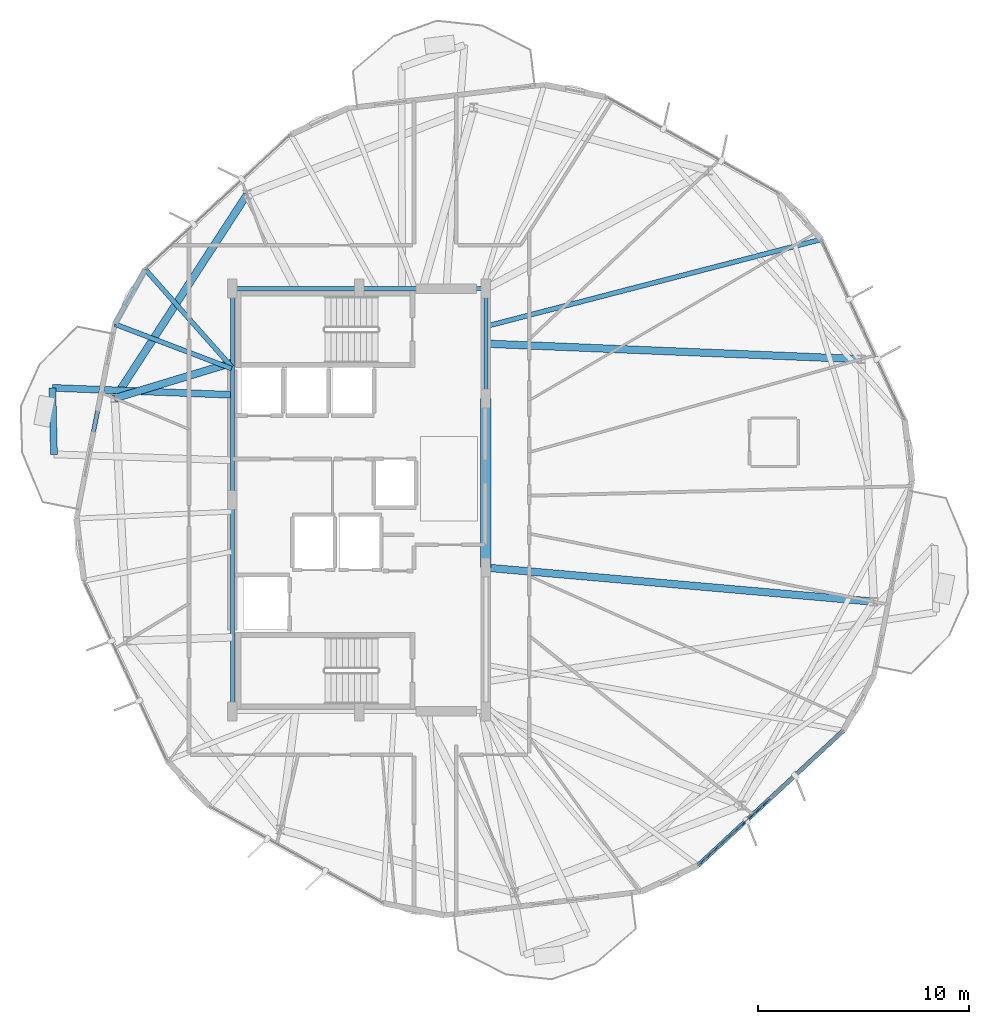
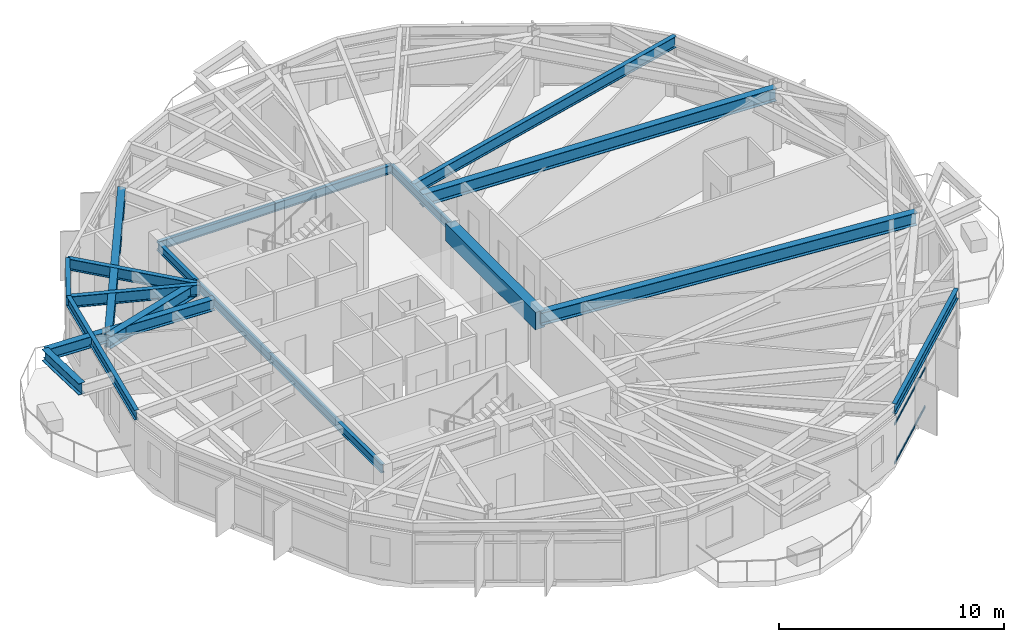
# One storey, part 8 of 25: 18 beams, 3 members, 1 element without a shape of its own.
"""IFC4 building model written with IfcOpenShell, lengths in metres."""

from ifc_helpers import new_model, si_unit, direction, frame, origin, origin_2d, place, context, subcontext, project, spatial, rectangle, hollow_rectangle, i_section, extrude, material, layer, layer_set, material_profile, profile_set, type_object, element, aggregate, save


model = new_model("IFC4")

# Units and contexts
model_context = context("Model", 3, precision=1e-05, world=origin(), true_north=direction((0.0, 1.0)))
body_context = subcontext(model_context, "Body", "Model", "MODEL_VIEW")
ifc_project = project(units=[si_unit("LENGTHUNIT", "METRE"), si_unit("AREAUNIT", "SQUARE_METRE"), si_unit("VOLUMEUNIT", "CUBIC_METRE"), si_unit("PLANEANGLEUNIT", "RADIAN"), si_unit("MASSUNIT", "GRAM", prefix="KILO")], contexts=[model_context])

# Site, building, storey
site_placement = place(None, origin())
site = spatial("IfcSite", under=ifc_project, at=site_placement, CompositionType="ELEMENT")
building_placement = place(site_placement, origin())
building = spatial("IfcBuilding", under=site, at=building_placement, Name="Soratama Intermodal Tower", CompositionType="ELEMENT")
storey_placement = place(building_placement, frame((0.0, 0.0, 190.60009765625)))
storey = spatial("IfcBuildingStorey", under=building, at=storey_placement, Name="L47", CompositionType="ELEMENT", Elevation=190.60009765625)

# Beams
ifc_material_1 = material(Name="Structural steel ASTM A992 Grade 50", Category="steel")
ifc_material_profile_1 = material_profile(ifc_material_1, i_section(OverallWidth=0.324951171875, OverallDepth=0.615966796875, WebThickness=0.013916015625, FlangeThickness=0.021484375, FilletRadius=0.013916015625, at=origin_2d()), Name="W24X117")
ifc_profile_set_1 = profile_set([ifc_material_profile_1], Name="Structural steel ASTM A992 Grade 50")
beam_type_1 = type_object("IfcBeamType", Name="BM-CANT-W24X117", PredefinedType="BEAM", material=ifc_profile_set_1)
beam_1_placement = place(storey_placement, frame((24.0830078125, 30.30810546875, 2.991943359375), z_axis=(0.024110863859, -0.999709290866, 0.0), x_axis=(0.999709290866, 0.024110863859, 0.0)))
element("IfcBeam", 1, at=beam_1_placement, inside=storey, type_object=beam_type_1, Name="BM-L47-CBHDR-3", PredefinedType="BEAM", context=body_context, shape_type="SweptSolid", body=[
    extrude(i_section(OverallWidth=0.324951171875, OverallDepth=0.615966796875, WebThickness=0.013916015625, FlangeThickness=0.021484375, FilletRadius=0.013916015625, at=origin_2d()), origin(), (0.0, 0.0, 1.0), 3.149169921875),
])
beam_2_placement = place(storey_placement, frame((32.56005859375, 29.97705078125, 2.991943359375), z_axis=(-0.999238300808, 0.039023303263, 0.0), x_axis=(-0.039023303263, -0.999238300808, 0.0)))
element("IfcBeam", 2, at=beam_2_placement, inside=storey, type_object=beam_type_1, Name="BM-L47-CANT-3-1", PredefinedType="BEAM", context=body_context, shape_type="SweptSolid", body=[
    extrude(i_section(OverallWidth=0.324951171875, OverallDepth=0.615966796875, WebThickness=0.013916015625, FlangeThickness=0.021484375, FilletRadius=0.013916015625, at=origin_2d()), origin(), (0.0, 0.0, 1.0), 8.4833984375),
])
ifc_material_2 = material(Name="Concrete f'c 56 MPa", Category="concrete")
ifc_material_profile_2 = material_profile(ifc_material_2, rectangle(XDim=0.5, YDim=0.949951171875, at=origin_2d()), Name="RC500X950")
ifc_profile_set_2 = profile_set([ifc_material_profile_2], Name="Concrete f'c 56 MPa")
beam_type_2 = type_object("IfcBeamType", Name="BM-CPL-RC500X950", PredefinedType="BEAM", material=ifc_profile_set_2)
beam_3_placement = place(storey_placement, frame((44.60009765625, 21.800048828125, 2.824951171875), z_axis=(0.0, 1.0, 0.0), x_axis=(-1.0, 0.0, 0.0)))
element("IfcBeam", 3, at=beam_3_placement, inside=storey, type_object=beam_type_2, Name="L47 Core Coupling Beam East", PredefinedType="BEAM", context=body_context, shape_type="SweptSolid", body=[
    extrude(rectangle(XDim=0.5, YDim=0.949951171875, at=origin_2d()), origin(), (0.0, 0.0, 1.0), 8.0),
])
ifc_material_3 = material(Name="Structural steel ASTM A992 Grade 50", Category="steel")
ifc_material_profile_3 = material_profile(ifc_material_3, i_section(OverallWidth=0.19091796875, OverallDepth=0.4599609375, WebThickness=0.010009765625, FlangeThickness=0.01611328125, FilletRadius=0.010986328125, at=origin_2d()), Name="W18X55")
ifc_profile_set_3 = profile_set([ifc_material_profile_3], Name="Structural steel ASTM A992 Grade 50")
beam_type_3 = type_object("IfcBeamType", Name="BM-FLR-W18X55", PredefinedType="BEAM", material=ifc_profile_set_3)
beam_4_placement = place(storey_placement, frame((44.60009765625, 29.800048828125, 3.06982421875), z_axis=(0.0, 1.0, 0.0), x_axis=(-1.0, 0.0, 0.0)))
element("IfcBeam", 4, at=beam_4_placement, inside=storey, type_object=beam_type_3, Name="BM-L47-CRING-05", PredefinedType="BEAM", context=body_context, shape_type="SweptSolid", body=[
    extrude(i_section(OverallWidth=0.19091796875, OverallDepth=0.4599609375, WebThickness=0.010009765625, FlangeThickness=0.01611328125, FilletRadius=0.010986328125, at=origin_2d()), origin(), (0.0, 0.0, 1.0), 5.199951171875),
])
for number, where, z_axis, x_axis, name in (
    (5, (44.60009765625, 35.0, 3.06982421875), (-1.0, 0.0, 0.0), (0.0, -1.0, 0.0), "BM-L47-CRING-06"),
    (6, (38.60009765625, 35.0, 3.06982421875), (-1.0, 0.0, 0.0), (0.0, -1.0, 0.0), "BM-L47-CRING-07"),
):
    element("IfcBeam", number, at=place(storey_placement, frame(where, z_axis=z_axis, x_axis=x_axis)), inside=storey, type_object=beam_type_3, Name=name, PredefinedType="BEAM", context=body_context, shape_type="SweptSolid", body=[
        extrude(i_section(OverallWidth=0.19091796875, OverallDepth=0.4599609375, WebThickness=0.010009765625, FlangeThickness=0.01611328125, FilletRadius=0.010986328125, at=origin_2d()), origin(), (0.0, 0.0, 1.0), 6.0),
    ])
for number, where, z_axis, x_axis, name in (
    (7, (32.60009765625, 35.0, 3.06982421875), (0.0, -1.0, 0.0), (1.0, 0.0, 0.0), "BM-L47-CRING-08"),
    (8, (32.60009765625, 25.0, 3.06982421875), (0.0, -1.0, 0.0), (1.0, 0.0, 0.0), "BM-L47-CRING-09"),
):
    element("IfcBeam", number, at=place(storey_placement, frame(where, z_axis=z_axis, x_axis=x_axis)), inside=storey, type_object=beam_type_3, Name=name, PredefinedType="BEAM", context=body_context, shape_type="SweptSolid", body=[
        extrude(i_section(OverallWidth=0.19091796875, OverallDepth=0.4599609375, WebThickness=0.010009765625, FlangeThickness=0.01611328125, FilletRadius=0.010986328125, at=origin_2d()), origin(), (0.0, 0.0, 1.0), 10.0),
    ])
ifc_material_4 = material(Name="Structural steel ASTM A992 Grade 50", Category="steel")
ifc_material_profile_4 = material_profile(ifc_material_4, i_section(OverallWidth=0.35498046875, OverallDepth=0.695068359375, WebThickness=0.015380859375, FlangeThickness=0.02490234375, FilletRadius=0.01611328125, at=origin_2d()), Name="W27X146")
ifc_profile_set_4 = profile_set([ifc_material_profile_4], Name="Structural steel ASTM A992 Grade 50")
beam_type_4 = type_object("IfcBeamType", Name="BM-RING-W27X146", PredefinedType="BEAM", material=ifc_profile_set_4)
beam_5_placement = place(storey_placement, frame((33.294921875, 39.455078125, 2.952392578125), z_axis=(-0.544637453764, -0.83867159482, 0.0), x_axis=(0.83867159482, -0.544637453764, 0.0)))
element("IfcBeam", 9, at=beam_5_placement, inside=storey, type_object=beam_type_4, Name="BM-L47-RING-04", PredefinedType="BEAM", context=body_context, shape_type="SweptSolid", body=[
    extrude(i_section(OverallWidth=0.35498046875, OverallDepth=0.695068359375, WebThickness=0.015380859375, FlangeThickness=0.02490234375, FilletRadius=0.01611328125, at=origin_2d()), origin(), (0.0, 0.0, 1.0), 11.49560546875),
])
beam_6_placement = place(storey_placement, frame((44.60009765625, 32.39990234375, 2.952392578125), z_axis=(0.999147788389, -0.041275864109, 0.0), x_axis=(0.041275864109, 0.999147788389, 0.0)))
element("IfcBeam", 10, at=beam_6_placement, inside=storey, type_object=beam_type_4, Name="BM-L47-RAD-01", PredefinedType="BEAM", context=body_context, shape_type="SweptSolid", body=[
    extrude(i_section(OverallWidth=0.35498046875, OverallDepth=0.695068359375, WebThickness=0.015380859375, FlangeThickness=0.02490234375, FilletRadius=0.01611328125, at=origin_2d()), origin(), (0.0, 0.0, 1.0), 17.780029296875),
])
beam_7_placement = place(storey_placement, frame((32.60009765625, 31.5, 2.952392578125), z_axis=(-0.957056879321, -0.289900206526, 0.0), x_axis=(0.289900206526, -0.957056879321, 0.0)))
element("IfcBeam", 11, at=beam_7_placement, inside=storey, type_object=beam_type_4, Name="BM-L47-RAD-05", PredefinedType="BEAM", context=body_context, shape_type="SweptSolid", body=[
    extrude(i_section(OverallWidth=0.35498046875, OverallDepth=0.695068359375, WebThickness=0.015380859375, FlangeThickness=0.02490234375, FilletRadius=0.01611328125, at=origin_2d()), origin(), (0.0, 0.0, 1.0), 5.81591796875),
])
beam_8_placement = place(storey_placement, frame((44.60009765625, 21.800048828125, 2.952392578125), z_axis=(0.996160716813, -0.087543282317, 0.0), x_axis=(0.087543282317, 0.996160716813, 0.0)))
element("IfcBeam", 12, at=beam_8_placement, inside=storey, type_object=beam_type_4, Name="BM-L47-RAD-10", PredefinedType="BEAM", context=body_context, shape_type="SweptSolid", body=[
    extrude(i_section(OverallWidth=0.35498046875, OverallDepth=0.695068359375, WebThickness=0.015380859375, FlangeThickness=0.02490234375, FilletRadius=0.01611328125, at=origin_2d()), origin(), (0.0, 0.0, 1.0), 18.436767578125),
])
ifc_material_5 = material(Name="Structural steel ASTM A992 Grade 50", Category="steel")
ifc_material_profile_5 = material_profile(ifc_material_5, i_section(OverallWidth=0.2099609375, OverallDepth=0.537109375, WebThickness=0.010986328125, FlangeThickness=0.017333984375, FilletRadius=0.012939453125, at=origin_2d()), Name="W21X68")
ifc_profile_set_5 = profile_set([ifc_material_profile_5], Name="Structural steel ASTM A992 Grade 50")
beam_type_5 = type_object("IfcBeamType", Name="BM-SPN-W21X68", PredefinedType="SPANDREL", material=ifc_profile_set_5)
beam_9_placement = place(storey_placement, frame((28.47998046875, 35.916015625, 3.031494140625), z_axis=(-0.487472689611, -0.873138234693, 0.0), x_axis=(0.873138234693, -0.487472689611, 0.0)))
element("IfcBeam", 13, at=beam_9_placement, inside=storey, type_object=beam_type_5, Name="BS-L47-CRN03", PredefinedType="SPANDREL", context=body_context, shape_type="SweptSolid", body=[
    extrude(i_section(OverallWidth=0.2099609375, OverallDepth=0.537109375, WebThickness=0.010986328125, FlangeThickness=0.017333984375, FilletRadius=0.012939453125, at=origin_2d()), origin(), (0.0, 0.0, 1.0), 2.96630859375),
])
beam_10_placement = place(storey_placement, frame((27.033935546875, 33.325927734375, 3.031494140625), z_axis=(-0.193548336451, -0.981090740685, 0.0), x_axis=(0.981090740685, -0.193548336451, 0.0)))
element("IfcBeam", 14, at=beam_10_placement, inside=storey, type_object=beam_type_5, Name="BS-L47-F04", PredefinedType="SPANDREL", context=body_context, shape_type="SweptSolid", body=[
    extrude(i_section(OverallWidth=0.2099609375, OverallDepth=0.537109375, WebThickness=0.010986328125, FlangeThickness=0.017333984375, FilletRadius=0.012939453125, at=origin_2d()), origin(), (0.0, 0.0, 1.0), 9.38232421875),
])
beam_11_placement = place(storey_placement, frame((54.64111328125, 7.7041015625, 3.031494140625), z_axis=(0.73320115979, 0.680011808193, 0.0), x_axis=(-0.680011808193, 0.73320115979, 0.0)))
element("IfcBeam", 15, at=beam_11_placement, inside=storey, type_object=beam_type_5, Name="BS-L47-F08", PredefinedType="SPANDREL", context=body_context, shape_type="SweptSolid", body=[
    extrude(i_section(OverallWidth=0.2099609375, OverallDepth=0.537109375, WebThickness=0.010986328125, FlangeThickness=0.017333984375, FilletRadius=0.012939453125, at=origin_2d()), origin(), (0.0, 0.0, 1.0), 9.382080078125),
])
ifc_material_6 = material(Name="Structural steel ASTM A992 Grade 50", Category="steel")
ifc_material_profile_6 = material_profile(ifc_material_6, i_section(OverallWidth=0.22900390625, OverallDepth=0.612060546875, WebThickness=0.011962890625, FlangeThickness=0.01953125, FilletRadius=0.012939453125, at=origin_2d()), Name="W24X84")
ifc_profile_set_6 = profile_set([ifc_material_profile_6], Name="Structural steel ASTM A992 Grade 50")
beam_type_6 = type_object("IfcBeamType", Name="BM-TIE-W24X84", PredefinedType="BEAM", material=ifc_profile_set_6)
beam_12_placement = place(storey_placement, frame((32.572998046875, 31.2958984375, 2.993896484375), z_axis=(-0.66311820272, 0.748514695394, 0.0), x_axis=(-0.748514695394, -0.66311820272, 0.0)))
element("IfcBeam", 16, at=beam_12_placement, inside=storey, type_object=beam_type_6, Name="BM-L47-TIE1-03", PredefinedType="BEAM", context=body_context, shape_type="SweptSolid", body=[
    extrude(i_section(OverallWidth=0.22900390625, OverallDepth=0.612060546875, WebThickness=0.011962890625, FlangeThickness=0.01953125, FilletRadius=0.012939453125, at=origin_2d()), origin(), (0.0, 0.0, 1.0), 6.17236328125),
])
beam_13_placement = place(storey_placement, frame((32.56298828125, 31.218994140625, 2.993896484375), z_axis=(-0.934452433247, 0.3560879807, 0.0), x_axis=(-0.3560879807, -0.934452433247, 0.0)))
element("IfcBeam", 17, at=beam_13_placement, inside=storey, type_object=beam_type_6, Name="BM-L47-TIE0-04", PredefinedType="BEAM", context=body_context, shape_type="SweptSolid", body=[
    extrude(i_section(OverallWidth=0.22900390625, OverallDepth=0.612060546875, WebThickness=0.011962890625, FlangeThickness=0.01953125, FilletRadius=0.012939453125, at=origin_2d()), origin(), (0.0, 0.0, 1.0), 5.9169921875),
])
beam_14_placement = place(storey_placement, frame((44.638916015625, 33.22705078125, 2.993896484375), z_axis=(0.967948178835, 0.251150001173, 0.0), x_axis=(-0.251150001173, 0.967948178835, 0.0)))
element("IfcBeam", 18, at=beam_14_placement, inside=storey, type_object=beam_type_6, Name="BM-L47-TIE1-10", PredefinedType="BEAM", context=body_context, shape_type="SweptSolid", body=[
    extrude(i_section(OverallWidth=0.22900390625, OverallDepth=0.612060546875, WebThickness=0.011962890625, FlangeThickness=0.01953125, FilletRadius=0.012939453125, at=origin_2d()), origin(), (0.0, 0.0, 1.0), 16.373046875),
])

# Curtain wall, members
ifc_material_7 = material(Name="Double-glazed aluminium curtain wall", Category="aluminium")
ifc_layer = layer(ifc_material_7, 0.159912109375)
ifc_layer_set = layer_set([ifc_layer], Name="Double-glazed aluminium curtain wall")
curtain_wall_type = type_object("IfcCurtainWallType", Name="CW-SYS-5", PredefinedType="NOTDEFINED", material=ifc_layer_set)
curtain_wall_placement = place(storey_placement, origin())
curtain_wall = element("IfcCurtainWall", 19, at=curtain_wall_placement, inside=storey, type_object=curtain_wall_type, Name="L47 Faceted Curtain Wall F08", PredefinedType="NOTDEFINED")
ifc_material_8 = material(Name="Anodised aluminium AA 6063-T6", Category="aluminium")
ifc_material_profile_7 = material_profile(ifc_material_8, hollow_rectangle(XDim=0.06005859375, YDim=0.1298828125, WallThickness=0.0048828125, InnerFilletRadius=0.0048828125, OuterFilletRadius=0.010009765625, at=origin_2d()), Name="CWT130X60X5")
ifc_profile_set_7 = profile_set([ifc_material_profile_7], Name="Anodised aluminium AA 6063-T6")
member_type = type_object("IfcMemberType", Name="TT-CWT-2", PredefinedType="USERDEFINED", material=ifc_profile_set_7)
member_1_placement = place(storey_placement, frame((54.68505859375, 7.744873046875, 0.02978515625), z_axis=(0.733241220534, 0.679968611415, 0.0), x_axis=(-0.679968611415, 0.733241220534, 0.0)))
member_1 = element("IfcMember", 20, at=member_1_placement, type_object=member_type, Name="CW-5 transom 1.1", ObjectType="TRANSOM", PredefinedType="USERDEFINED", context=body_context, shape_type="SweptSolid", body=[
    extrude(hollow_rectangle(XDim=0.06005859375, YDim=0.1298828125, WallThickness=0.0048828125, InnerFilletRadius=0.0048828125, OuterFilletRadius=0.010009765625, at=origin_2d()), origin(), (0.0, 0.0, 1.0), 4.60107421875),
])
member_2_placement = place(storey_placement, frame((54.68505859375, 7.744873046875, 2.14990234375), z_axis=(0.733241220534, 0.679968611415, 0.0), x_axis=(-0.679968611415, 0.733241220534, 0.0)))
member_2 = element("IfcMember", 21, at=member_2_placement, type_object=member_type, Name="CW-5 transom 1.2", ObjectType="TRANSOM", PredefinedType="USERDEFINED", context=body_context, shape_type="SweptSolid", body=[
    extrude(hollow_rectangle(XDim=0.06005859375, YDim=0.1298828125, WallThickness=0.0048828125, InnerFilletRadius=0.0048828125, OuterFilletRadius=0.010009765625, at=origin_2d()), origin(), (0.0, 0.0, 1.0), 4.60107421875),
])
member_3_placement = place(storey_placement, frame((54.68505859375, 7.744873046875, 2.64892578125), z_axis=(0.733241220534, 0.679968611415, 0.0), x_axis=(-0.679968611415, 0.733241220534, 0.0)))
member_3 = element("IfcMember", 22, at=member_3_placement, type_object=member_type, Name="CW-5 transom 1.3", ObjectType="TRANSOM", PredefinedType="USERDEFINED", context=body_context, shape_type="SweptSolid", body=[
    extrude(hollow_rectangle(XDim=0.06005859375, YDim=0.1298828125, WallThickness=0.0048828125, InnerFilletRadius=0.0048828125, OuterFilletRadius=0.010009765625, at=origin_2d()), origin(), (0.0, 0.0, 1.0), 4.60107421875),
])
aggregate(curtain_wall, [member_1, member_2, member_3])

save(model, "model.ifc")
